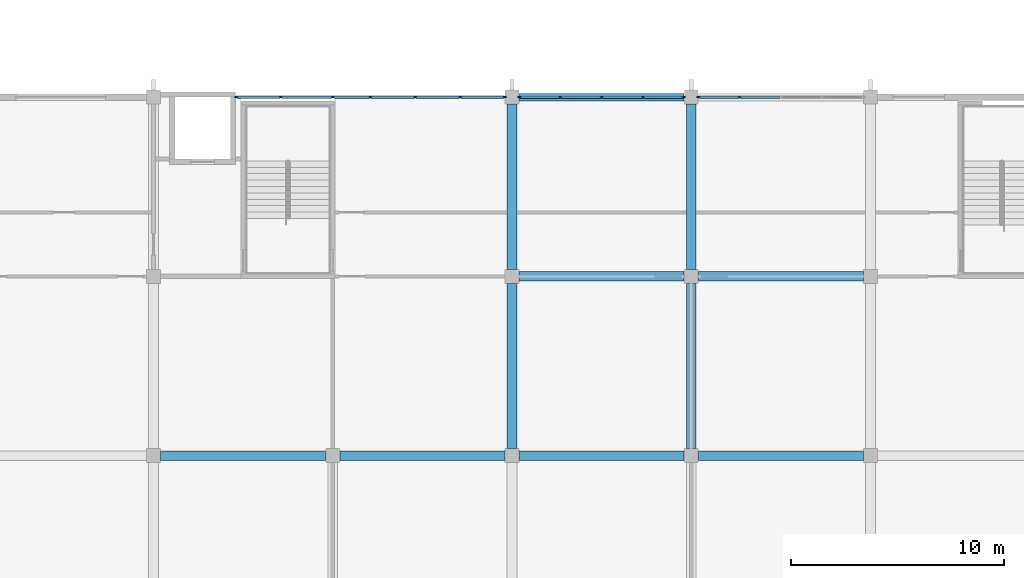
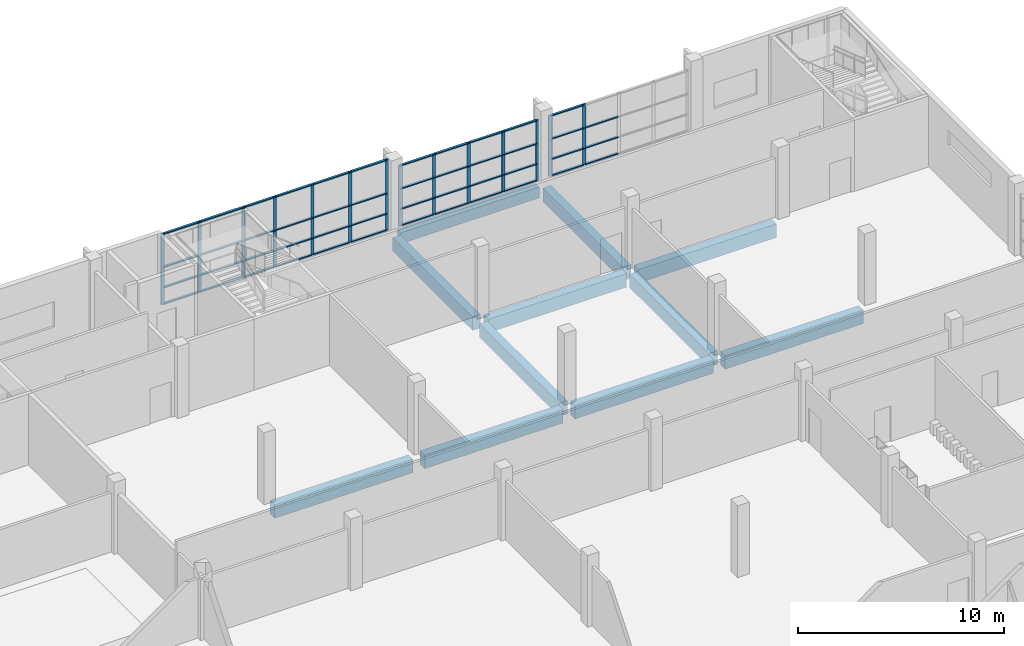
# One storey, part 8 of 64: 61 members, 11 beams, 3 elements without a shape of their own.
"""IFC4 building model written with IfcOpenShell, lengths in metres."""

from ifc_helpers import new_model, si_unit, direction, frame, origin, origin_2d, place, context, subcontext, project, spatial, rectangle, extrude, material, layer, layer_set, material_profile, profile_set, type_object, element, aggregate, save


model = new_model("IFC4")

# Units and contexts
model_context = context("Model", 3, precision=1e-05, world=origin(), true_north=direction((0.0, 1.0)))
body_context = subcontext(model_context, "Body", "Model", "MODEL_VIEW")
ifc_project = project(units=[si_unit("LENGTHUNIT", "METRE"), si_unit("AREAUNIT", "SQUARE_METRE"), si_unit("VOLUMEUNIT", "CUBIC_METRE"), si_unit("PLANEANGLEUNIT", "RADIAN"), si_unit("MASSUNIT", "GRAM", prefix="KILO")], contexts=[model_context])

# Site, building, storey
site_placement = place(None, origin())
site = spatial("IfcSite", under=ifc_project, at=site_placement, CompositionType="ELEMENT")
building_placement = place(site_placement, origin())
building = spatial("IfcBuilding", under=site, at=building_placement, Name="Rulbaag Community and Learning Centre", CompositionType="ELEMENT")
storey_placement = place(building_placement, frame((0.0, 0.0, 5.39990234375)))
storey = spatial("IfcBuildingStorey", under=building, at=storey_placement, Name="L01", CompositionType="ELEMENT", Elevation=5.39990234375)

# Beams
ifc_material_1 = material(Name="Concrete M40", Category="concrete")
ifc_material_profile_1 = material_profile(ifc_material_1, rectangle(XDim=0.449951171875, YDim=0.800048828125, at=origin_2d()), Name="RB450x800")
ifc_profile_set_1 = profile_set([ifc_material_profile_1], Name="Concrete M40")
beam_type_1 = type_object("IfcBeamType", Name="B21 Library floor beam 450x800 Concrete M40", PredefinedType="BEAM", material=ifc_profile_set_1)
for number, where, z_axis, x_axis, name in (
    (1, (126.330078125, 33.60009765625, -0.699951171875), (1.0, 0.0, 0.0), (0.0, 1.0, 0.0), "BM-L01-16E-17E"),
    (2, (134.72998046875, 33.60009765625, -0.699951171875), (1.0, 0.0, 0.0), (0.0, 1.0, 0.0), "BM-L01-17E-18E"),
):
    element("IfcBeam", number, at=place(storey_placement, frame(where, z_axis=z_axis, x_axis=x_axis)), inside=storey, type_object=beam_type_1, Name=name, PredefinedType="BEAM", context=body_context, shape_type="SweptSolid", body=[
        extrude(rectangle(XDim=0.449951171875, YDim=0.800048828125, at=origin_2d()), origin(), (0.0, 0.0, 1.0), 7.739990234375),
    ])
beam_1_placement = place(storey_placement, frame((143.1298828125, 33.60009765625, -0.699951171875), z_axis=(1.0, 0.0, 0.0), x_axis=(0.0, 1.0, 0.0)))
element("IfcBeam", 3, at=beam_1_placement, inside=storey, type_object=beam_type_1, Name="BM-L01-18E-19E", PredefinedType="BEAM", context=body_context, shape_type="SweptSolid", body=[
    extrude(rectangle(XDim=0.449951171875, YDim=0.800048828125, at=origin_2d()), origin(), (0.0, 0.0, 1.0), 7.740234375),
])
beam_2_placement = place(storey_placement, frame((142.800048828125, 33.929931640625, -0.699951171875), z_axis=(0.0, 1.0, 0.0), x_axis=(-1.0, 0.0, 0.0)))
element("IfcBeam", 4, at=beam_2_placement, inside=storey, type_object=beam_type_1, Name="BM-L01-18E-18F", PredefinedType="BEAM", context=body_context, shape_type="SweptSolid", body=[
    extrude(rectangle(XDim=0.449951171875, YDim=0.800048828125, at=origin_2d()), origin(), (0.0, 0.0, 1.0), 7.739990234375),
])
beam_3_placement = place(storey_placement, frame((143.1298828125, 42.0, -0.699951171875), z_axis=(1.0, 0.0, 0.0), x_axis=(0.0, 1.0, 0.0)))
element("IfcBeam", 5, at=beam_3_placement, inside=storey, type_object=beam_type_1, Name="BM-L01-18F-19F", PredefinedType="BEAM", context=body_context, shape_type="SweptSolid", body=[
    extrude(rectangle(XDim=0.449951171875, YDim=0.800048828125, at=origin_2d()), origin(), (0.0, 0.0, 1.0), 7.740234375),
])
for number, where, z_axis, x_axis, name in (
    (6, (142.800048828125, 42.330078125, -0.699951171875), (0.0, 1.0, 0.0), (-1.0, 0.0, 0.0), "BM-L01-18F-18G"),
    (7, (151.530029296875, 33.60009765625, -0.699951171875), (1.0, 0.0, 0.0), (0.0, 1.0, 0.0), "BM-L01-19E-20E"),
    (8, (151.199951171875, 33.929931640625, -0.699951171875), (0.0, 1.0, 0.0), (-1.0, 0.0, 0.0), "BM-L01-19E-19F"),
    (9, (151.530029296875, 42.0, -0.699951171875), (1.0, 0.0, 0.0), (0.0, 1.0, 0.0), "BM-L01-19F-20F"),
    (10, (151.199951171875, 42.330078125, -0.699951171875), (0.0, 1.0, 0.0), (-1.0, 0.0, 0.0), "BM-L01-19F-19G"),
):
    element("IfcBeam", number, at=place(storey_placement, frame(where, z_axis=z_axis, x_axis=x_axis)), inside=storey, type_object=beam_type_1, Name=name, PredefinedType="BEAM", context=body_context, shape_type="SweptSolid", body=[
        extrude(rectangle(XDim=0.449951171875, YDim=0.800048828125, at=origin_2d()), origin(), (0.0, 0.0, 1.0), 7.739990234375),
    ])
ifc_material_profile_2 = material_profile(ifc_material_1, rectangle(XDim=0.35009765625, YDim=0.64990234375, at=origin_2d()), Name="RB350x650")
ifc_profile_set_2 = profile_set([ifc_material_profile_2], Name="Concrete M40")
beam_type_2 = type_object("IfcBeamType", Name="B8 Hall wing edge beam 350x650 Concrete M40", PredefinedType="BEAM", material=ifc_profile_set_2)
beam_4_placement = place(storey_placement, frame((143.1298828125, 50.39990234375, -0.625), z_axis=(1.0, 0.0, 0.0), x_axis=(0.0, 1.0, 0.0)))
element("IfcBeam", 11, at=beam_4_placement, inside=storey, type_object=beam_type_2, Name="BM-L01-18G-19G", PredefinedType="BEAM", context=body_context, shape_type="SweptSolid", body=[
    extrude(rectangle(XDim=0.35009765625, YDim=0.64990234375, at=origin_2d()), origin(), (0.0, 0.0, 1.0), 7.740234375),
])

# Curtain wall, members
ifc_material_2 = material(Name="Aluminium", Category="aluminium")
ifc_layer = layer(ifc_material_2, 0.14990234375)
ifc_layer_set = layer_set([ifc_layer], Name="CW-L")
curtain_wall_type = type_object("IfcCurtainWallType", Name="CW-L", PredefinedType="USERDEFINED", material=ifc_layer_set)
curtain_wall_1_placement = place(storey_placement, origin())
curtain_wall_1 = element("IfcCurtainWall", 12, at=curtain_wall_1_placement, inside=storey, type_object=curtain_wall_type, Name="GL-L01-05", ObjectType="STICK CURTAIN WALL", PredefinedType="USERDEFINED")
ifc_material_3 = material(Name="Aluminium mullion", Category="aluminium")
ifc_material_profile_3 = material_profile(ifc_material_3, rectangle(XDim=0.06494140625, YDim=0.175048828125, at=origin_2d()), Name="AL 65x175")
ifc_profile_set_3 = profile_set([ifc_material_profile_3], Name="Aluminium mullion")
member_type_1 = type_object("IfcMemberType", Name="CW-L-MUL", PredefinedType="MULLION", material=ifc_profile_set_3)
member_1_placement = place(storey_placement, frame((129.882568359375, 50.39990234375, 0.0), z_axis=(0.0, 0.0, 1.0), x_axis=(0.0, 1.0, 0.0)))
member_1 = element("IfcMember", 13, at=member_1_placement, type_object=member_type_1, Name="GL mullion 1", PredefinedType="MULLION", context=body_context, shape_type="SweptSolid", body=[
    extrude(rectangle(XDim=0.06494140625, YDim=0.175048828125, at=origin_2d()), origin(), (0.0, 0.0, 1.0), 4.2001953125),
])
member_2_placement = place(storey_placement, frame((131.9541015625, 50.39990234375, 0.0), z_axis=(0.0, 0.0, 1.0), x_axis=(0.0, 1.0, 0.0)))
member_2 = element("IfcMember", 14, at=member_2_placement, type_object=member_type_1, Name="GL mullion 2", PredefinedType="MULLION", context=body_context, shape_type="SweptSolid", body=[
    extrude(rectangle(XDim=0.06494140625, YDim=0.175048828125, at=origin_2d()), origin(), (0.0, 0.0, 1.0), 4.2001953125),
])
member_3_placement = place(storey_placement, frame((134.39990234375, 50.39990234375, 0.0), z_axis=(0.0, 0.0, 1.0), x_axis=(0.0, 1.0, 0.0)))
member_3 = element("IfcMember", 15, at=member_3_placement, type_object=member_type_1, Name="GL mullion 3", PredefinedType="MULLION", context=body_context, shape_type="SweptSolid", body=[
    extrude(rectangle(XDim=0.06494140625, YDim=0.175048828125, at=origin_2d()), origin(), (0.0, 0.0, 1.0), 4.2001953125),
])
member_4_placement = place(storey_placement, frame((136.16259765625, 50.39990234375, 0.0), z_axis=(0.0, 0.0, 1.0), x_axis=(0.0, 1.0, 0.0)))
member_4 = element("IfcMember", 16, at=member_4_placement, type_object=member_type_1, Name="GL mullion 4", PredefinedType="MULLION", context=body_context, shape_type="SweptSolid", body=[
    extrude(rectangle(XDim=0.06494140625, YDim=0.175048828125, at=origin_2d()), origin(), (0.0, 0.0, 1.0), 4.2001953125),
])
member_5_placement = place(storey_placement, frame((138.2666015625, 50.39990234375, 0.0), z_axis=(0.0, 0.0, 1.0), x_axis=(0.0, 1.0, 0.0)))
member_5 = element("IfcMember", 17, at=member_5_placement, type_object=member_type_1, Name="GL mullion 5", PredefinedType="MULLION", context=body_context, shape_type="SweptSolid", body=[
    extrude(rectangle(XDim=0.06494140625, YDim=0.175048828125, at=origin_2d()), origin(), (0.0, 0.0, 1.0), 4.2001953125),
])
member_6_placement = place(storey_placement, frame((140.370849609375, 50.39990234375, 0.0), z_axis=(0.0, 0.0, 1.0), x_axis=(0.0, 1.0, 0.0)))
member_6 = element("IfcMember", 18, at=member_6_placement, type_object=member_type_1, Name="GL mullion 6", PredefinedType="MULLION", context=body_context, shape_type="SweptSolid", body=[
    extrude(rectangle(XDim=0.06494140625, YDim=0.175048828125, at=origin_2d()), origin(), (0.0, 0.0, 1.0), 4.2001953125),
])
member_7_placement = place(storey_placement, frame((142.4423828125, 50.39990234375, 0.0), z_axis=(0.0, 0.0, 1.0), x_axis=(0.0, 1.0, 0.0)))
member_7 = element("IfcMember", 19, at=member_7_placement, type_object=member_type_1, Name="GL mullion 7", PredefinedType="MULLION", context=body_context, shape_type="SweptSolid", body=[
    extrude(rectangle(XDim=0.06494140625, YDim=0.175048828125, at=origin_2d()), origin(), (0.0, 0.0, 1.0), 4.2001953125),
])

curtain_wall_2_placement = place(storey_placement, origin())
curtain_wall_2 = element("IfcCurtainWall", 20, at=curtain_wall_2_placement, inside=storey, type_object=curtain_wall_type, Name="GL-L01-06", ObjectType="STICK CURTAIN WALL", PredefinedType="USERDEFINED")
member_8_placement = place(storey_placement, frame((143.157470703125, 50.39990234375, 0.0), z_axis=(0.0, 0.0, 1.0), x_axis=(0.0, 1.0, 0.0)))
member_8 = element("IfcMember", 21, at=member_8_placement, type_object=member_type_1, Name="GL mullion 1", PredefinedType="MULLION", context=body_context, shape_type="SweptSolid", body=[
    extrude(rectangle(XDim=0.06494140625, YDim=0.175048828125, at=origin_2d()), origin(), (0.0, 0.0, 1.0), 3.60009765625),
])
member_9_placement = place(storey_placement, frame((145.0625, 50.39990234375, 0.0), z_axis=(0.0, 0.0, 1.0), x_axis=(0.0, 1.0, 0.0)))
member_9 = element("IfcMember", 22, at=member_9_placement, type_object=member_type_1, Name="GL mullion 2", PredefinedType="MULLION", context=body_context, shape_type="SweptSolid", body=[
    extrude(rectangle(XDim=0.06494140625, YDim=0.175048828125, at=origin_2d()), origin(), (0.0, 0.0, 1.0), 3.60009765625),
])
member_10_placement = place(storey_placement, frame((147.0, 50.39990234375, 0.0), z_axis=(0.0, 0.0, 1.0), x_axis=(0.0, 1.0, 0.0)))
member_10 = element("IfcMember", 23, at=member_10_placement, type_object=member_type_1, Name="GL mullion 3", PredefinedType="MULLION", context=body_context, shape_type="SweptSolid", body=[
    extrude(rectangle(XDim=0.06494140625, YDim=0.175048828125, at=origin_2d()), origin(), (0.0, 0.0, 1.0), 3.60009765625),
])
member_11_placement = place(storey_placement, frame((148.9375, 50.39990234375, 0.0), z_axis=(0.0, 0.0, 1.0), x_axis=(0.0, 1.0, 0.0)))
member_11 = element("IfcMember", 24, at=member_11_placement, type_object=member_type_1, Name="GL mullion 4", PredefinedType="MULLION", context=body_context, shape_type="SweptSolid", body=[
    extrude(rectangle(XDim=0.06494140625, YDim=0.175048828125, at=origin_2d()), origin(), (0.0, 0.0, 1.0), 3.60009765625),
])
member_12_placement = place(storey_placement, frame((150.842529296875, 50.39990234375, 0.0), z_axis=(0.0, 0.0, 1.0), x_axis=(0.0, 1.0, 0.0)))
member_12 = element("IfcMember", 25, at=member_12_placement, type_object=member_type_1, Name="GL mullion 5", PredefinedType="MULLION", context=body_context, shape_type="SweptSolid", body=[
    extrude(rectangle(XDim=0.06494140625, YDim=0.175048828125, at=origin_2d()), origin(), (0.0, 0.0, 1.0), 3.60009765625),
])

curtain_wall_3_placement = place(storey_placement, origin())
curtain_wall_3 = element("IfcCurtainWall", 26, at=curtain_wall_3_placement, inside=storey, type_object=curtain_wall_type, Name="GL-L01-07", ObjectType="STICK CURTAIN WALL", PredefinedType="USERDEFINED")
member_13_placement = place(storey_placement, frame((151.5576171875, 50.39990234375, 0.0), z_axis=(0.0, 0.0, 1.0), x_axis=(0.0, 1.0, 0.0)))
member_13 = element("IfcMember", 27, at=member_13_placement, type_object=member_type_1, Name="GL mullion 1", PredefinedType="MULLION", context=body_context, shape_type="SweptSolid", body=[
    extrude(rectangle(XDim=0.06494140625, YDim=0.175048828125, at=origin_2d()), origin(), (0.0, 0.0, 1.0), 3.60009765625),
])
member_14_placement = place(storey_placement, frame((153.46240234375, 50.39990234375, 0.0), z_axis=(0.0, 0.0, 1.0), x_axis=(0.0, 1.0, 0.0)))
member_14 = element("IfcMember", 28, at=member_14_placement, type_object=member_type_1, Name="GL mullion 2", PredefinedType="MULLION", context=body_context, shape_type="SweptSolid", body=[
    extrude(rectangle(XDim=0.06494140625, YDim=0.175048828125, at=origin_2d()), origin(), (0.0, 0.0, 1.0), 3.60009765625),
])

# Member
ifc_material_4 = material(Name="Aluminium transom", Category="aluminium")
ifc_material_profile_4 = material_profile(ifc_material_4, rectangle(XDim=0.125, YDim=0.06494140625, at=origin_2d()), Name="AL 65x125 T")
ifc_profile_set_4 = profile_set([ifc_material_profile_4], Name="Aluminium transom")
member_type_2 = type_object("IfcMemberType", Name="CW-L-TRN", PredefinedType="USERDEFINED", material=ifc_profile_set_4)
member_15_placement = place(storey_placement, frame((129.9150390625, 50.39990234375, 0.03271484375), z_axis=(1.0, 0.0, 0.0), x_axis=(0.0, 1.0, 0.0)))
member_15 = element("IfcMember", 29, at=member_15_placement, type_object=member_type_2, Name="GL transom 1.1", ObjectType="TRANSOM", PredefinedType="USERDEFINED", context=body_context, shape_type="SweptSolid", body=[
    extrude(rectangle(XDim=0.125, YDim=0.06494140625, at=origin_2d()), origin(), (0.0, 0.0, 1.0), 2.006591796875),
])

member_16_placement = place(storey_placement, frame((129.9150390625, 50.39990234375, 1.0), z_axis=(1.0, 0.0, 0.0), x_axis=(0.0, 1.0, 0.0)))
member_16 = element("IfcMember", 30, at=member_16_placement, type_object=member_type_2, Name="GL transom 1.2", ObjectType="TRANSOM", PredefinedType="USERDEFINED", context=body_context, shape_type="SweptSolid", body=[
    extrude(rectangle(XDim=0.125, YDim=0.06494140625, at=origin_2d()), origin(), (0.0, 0.0, 1.0), 2.006591796875),
])

member_17_placement = place(storey_placement, frame((129.9150390625, 50.39990234375, 2.2001953125), z_axis=(1.0, 0.0, 0.0), x_axis=(0.0, 1.0, 0.0)))
member_17 = element("IfcMember", 31, at=member_17_placement, type_object=member_type_2, Name="GL transom 1.3", ObjectType="TRANSOM", PredefinedType="USERDEFINED", context=body_context, shape_type="SweptSolid", body=[
    extrude(rectangle(XDim=0.125, YDim=0.06494140625, at=origin_2d()), origin(), (0.0, 0.0, 1.0), 2.006591796875),
])

member_18_placement = place(storey_placement, frame((129.9150390625, 50.39990234375, 4.16748046875), z_axis=(1.0, 0.0, 0.0), x_axis=(0.0, 1.0, 0.0)))
member_18 = element("IfcMember", 32, at=member_18_placement, type_object=member_type_2, Name="GL transom 1.4", ObjectType="TRANSOM", PredefinedType="USERDEFINED", context=body_context, shape_type="SweptSolid", body=[
    extrude(rectangle(XDim=0.125, YDim=0.06494140625, at=origin_2d()), origin(), (0.0, 0.0, 1.0), 2.006591796875),
])

member_19_placement = place(storey_placement, frame((131.986572265625, 50.39990234375, 0.03271484375), z_axis=(1.0, 0.0, 0.0), x_axis=(0.0, 1.0, 0.0)))
member_19 = element("IfcMember", 33, at=member_19_placement, type_object=member_type_2, Name="GL transom 2.1", ObjectType="TRANSOM", PredefinedType="USERDEFINED", context=body_context, shape_type="SweptSolid", body=[
    extrude(rectangle(XDim=0.125, YDim=0.06494140625, at=origin_2d()), origin(), (0.0, 0.0, 1.0), 2.380859375),
])

member_20_placement = place(storey_placement, frame((131.986572265625, 50.39990234375, 1.0), z_axis=(1.0, 0.0, 0.0), x_axis=(0.0, 1.0, 0.0)))
member_20 = element("IfcMember", 34, at=member_20_placement, type_object=member_type_2, Name="GL transom 2.2", ObjectType="TRANSOM", PredefinedType="USERDEFINED", context=body_context, shape_type="SweptSolid", body=[
    extrude(rectangle(XDim=0.125, YDim=0.06494140625, at=origin_2d()), origin(), (0.0, 0.0, 1.0), 2.380859375),
])

member_21_placement = place(storey_placement, frame((131.986572265625, 50.39990234375, 2.2001953125), z_axis=(1.0, 0.0, 0.0), x_axis=(0.0, 1.0, 0.0)))
member_21 = element("IfcMember", 35, at=member_21_placement, type_object=member_type_2, Name="GL transom 2.3", ObjectType="TRANSOM", PredefinedType="USERDEFINED", context=body_context, shape_type="SweptSolid", body=[
    extrude(rectangle(XDim=0.125, YDim=0.06494140625, at=origin_2d()), origin(), (0.0, 0.0, 1.0), 2.380859375),
])

member_22_placement = place(storey_placement, frame((131.986572265625, 50.39990234375, 4.16748046875), z_axis=(1.0, 0.0, 0.0), x_axis=(0.0, 1.0, 0.0)))
member_22 = element("IfcMember", 36, at=member_22_placement, type_object=member_type_2, Name="GL transom 2.4", ObjectType="TRANSOM", PredefinedType="USERDEFINED", context=body_context, shape_type="SweptSolid", body=[
    extrude(rectangle(XDim=0.125, YDim=0.06494140625, at=origin_2d()), origin(), (0.0, 0.0, 1.0), 2.380859375),
])

member_23_placement = place(storey_placement, frame((134.4326171875, 50.39990234375, 0.03271484375), z_axis=(1.0, 0.0, 0.0), x_axis=(0.0, 1.0, 0.0)))
member_23 = element("IfcMember", 37, at=member_23_placement, type_object=member_type_2, Name="GL transom 3.1", ObjectType="TRANSOM", PredefinedType="USERDEFINED", context=body_context, shape_type="SweptSolid", body=[
    extrude(rectangle(XDim=0.125, YDim=0.06494140625, at=origin_2d()), origin(), (0.0, 0.0, 1.0), 1.697265625),
])

member_24_placement = place(storey_placement, frame((134.4326171875, 50.39990234375, 1.0), z_axis=(1.0, 0.0, 0.0), x_axis=(0.0, 1.0, 0.0)))
member_24 = element("IfcMember", 38, at=member_24_placement, type_object=member_type_2, Name="GL transom 3.2", ObjectType="TRANSOM", PredefinedType="USERDEFINED", context=body_context, shape_type="SweptSolid", body=[
    extrude(rectangle(XDim=0.125, YDim=0.06494140625, at=origin_2d()), origin(), (0.0, 0.0, 1.0), 1.697265625),
])

member_25_placement = place(storey_placement, frame((134.4326171875, 50.39990234375, 2.2001953125), z_axis=(1.0, 0.0, 0.0), x_axis=(0.0, 1.0, 0.0)))
member_25 = element("IfcMember", 39, at=member_25_placement, type_object=member_type_2, Name="GL transom 3.3", ObjectType="TRANSOM", PredefinedType="USERDEFINED", context=body_context, shape_type="SweptSolid", body=[
    extrude(rectangle(XDim=0.125, YDim=0.06494140625, at=origin_2d()), origin(), (0.0, 0.0, 1.0), 1.697265625),
])

member_26_placement = place(storey_placement, frame((134.4326171875, 50.39990234375, 4.16748046875), z_axis=(1.0, 0.0, 0.0), x_axis=(0.0, 1.0, 0.0)))
member_26 = element("IfcMember", 40, at=member_26_placement, type_object=member_type_2, Name="GL transom 3.4", ObjectType="TRANSOM", PredefinedType="USERDEFINED", context=body_context, shape_type="SweptSolid", body=[
    extrude(rectangle(XDim=0.125, YDim=0.06494140625, at=origin_2d()), origin(), (0.0, 0.0, 1.0), 1.697265625),
])

member_27_placement = place(storey_placement, frame((136.195068359375, 50.39990234375, 0.03271484375), z_axis=(1.0, 0.0, 0.0), x_axis=(0.0, 1.0, 0.0)))
member_27 = element("IfcMember", 41, at=member_27_placement, type_object=member_type_2, Name="GL transom 4.1", ObjectType="TRANSOM", PredefinedType="USERDEFINED", context=body_context, shape_type="SweptSolid", body=[
    extrude(rectangle(XDim=0.125, YDim=0.06494140625, at=origin_2d()), origin(), (0.0, 0.0, 1.0), 2.0390625),
])

member_28_placement = place(storey_placement, frame((136.195068359375, 50.39990234375, 1.0), z_axis=(1.0, 0.0, 0.0), x_axis=(0.0, 1.0, 0.0)))
member_28 = element("IfcMember", 42, at=member_28_placement, type_object=member_type_2, Name="GL transom 4.2", ObjectType="TRANSOM", PredefinedType="USERDEFINED", context=body_context, shape_type="SweptSolid", body=[
    extrude(rectangle(XDim=0.125, YDim=0.06494140625, at=origin_2d()), origin(), (0.0, 0.0, 1.0), 2.0390625),
])

member_29_placement = place(storey_placement, frame((136.195068359375, 50.39990234375, 2.2001953125), z_axis=(1.0, 0.0, 0.0), x_axis=(0.0, 1.0, 0.0)))
member_29 = element("IfcMember", 43, at=member_29_placement, type_object=member_type_2, Name="GL transom 4.3", ObjectType="TRANSOM", PredefinedType="USERDEFINED", context=body_context, shape_type="SweptSolid", body=[
    extrude(rectangle(XDim=0.125, YDim=0.06494140625, at=origin_2d()), origin(), (0.0, 0.0, 1.0), 2.0390625),
])

member_30_placement = place(storey_placement, frame((136.195068359375, 50.39990234375, 4.16748046875), z_axis=(1.0, 0.0, 0.0), x_axis=(0.0, 1.0, 0.0)))
member_30 = element("IfcMember", 44, at=member_30_placement, type_object=member_type_2, Name="GL transom 4.4", ObjectType="TRANSOM", PredefinedType="USERDEFINED", context=body_context, shape_type="SweptSolid", body=[
    extrude(rectangle(XDim=0.125, YDim=0.06494140625, at=origin_2d()), origin(), (0.0, 0.0, 1.0), 2.0390625),
])

member_31_placement = place(storey_placement, frame((138.299072265625, 50.39990234375, 0.03271484375), z_axis=(1.0, 0.0, 0.0), x_axis=(0.0, 1.0, 0.0)))
member_31 = element("IfcMember", 45, at=member_31_placement, type_object=member_type_2, Name="GL transom 5.1", ObjectType="TRANSOM", PredefinedType="USERDEFINED", context=body_context, shape_type="SweptSolid", body=[
    extrude(rectangle(XDim=0.125, YDim=0.06494140625, at=origin_2d()), origin(), (0.0, 0.0, 1.0), 2.039306640625),
])

member_32_placement = place(storey_placement, frame((138.299072265625, 50.39990234375, 1.0), z_axis=(1.0, 0.0, 0.0), x_axis=(0.0, 1.0, 0.0)))
member_32 = element("IfcMember", 46, at=member_32_placement, type_object=member_type_2, Name="GL transom 5.2", ObjectType="TRANSOM", PredefinedType="USERDEFINED", context=body_context, shape_type="SweptSolid", body=[
    extrude(rectangle(XDim=0.125, YDim=0.06494140625, at=origin_2d()), origin(), (0.0, 0.0, 1.0), 2.039306640625),
])

member_33_placement = place(storey_placement, frame((138.299072265625, 50.39990234375, 2.2001953125), z_axis=(1.0, 0.0, 0.0), x_axis=(0.0, 1.0, 0.0)))
member_33 = element("IfcMember", 47, at=member_33_placement, type_object=member_type_2, Name="GL transom 5.3", ObjectType="TRANSOM", PredefinedType="USERDEFINED", context=body_context, shape_type="SweptSolid", body=[
    extrude(rectangle(XDim=0.125, YDim=0.06494140625, at=origin_2d()), origin(), (0.0, 0.0, 1.0), 2.039306640625),
])

member_34_placement = place(storey_placement, frame((138.299072265625, 50.39990234375, 4.16748046875), z_axis=(1.0, 0.0, 0.0), x_axis=(0.0, 1.0, 0.0)))
member_34 = element("IfcMember", 48, at=member_34_placement, type_object=member_type_2, Name="GL transom 5.4", ObjectType="TRANSOM", PredefinedType="USERDEFINED", context=body_context, shape_type="SweptSolid", body=[
    extrude(rectangle(XDim=0.125, YDim=0.06494140625, at=origin_2d()), origin(), (0.0, 0.0, 1.0), 2.039306640625),
])

member_35_placement = place(storey_placement, frame((140.4033203125, 50.39990234375, 0.03271484375), z_axis=(1.0, 0.0, 0.0), x_axis=(0.0, 1.0, 0.0)))
member_35 = element("IfcMember", 49, at=member_35_placement, type_object=member_type_2, Name="GL transom 6.1", ObjectType="TRANSOM", PredefinedType="USERDEFINED", context=body_context, shape_type="SweptSolid", body=[
    extrude(rectangle(XDim=0.125, YDim=0.06494140625, at=origin_2d()), origin(), (0.0, 0.0, 1.0), 2.006591796875),
])

member_36_placement = place(storey_placement, frame((140.4033203125, 50.39990234375, 1.0), z_axis=(1.0, 0.0, 0.0), x_axis=(0.0, 1.0, 0.0)))
member_36 = element("IfcMember", 50, at=member_36_placement, type_object=member_type_2, Name="GL transom 6.2", ObjectType="TRANSOM", PredefinedType="USERDEFINED", context=body_context, shape_type="SweptSolid", body=[
    extrude(rectangle(XDim=0.125, YDim=0.06494140625, at=origin_2d()), origin(), (0.0, 0.0, 1.0), 2.006591796875),
])

member_37_placement = place(storey_placement, frame((140.4033203125, 50.39990234375, 2.2001953125), z_axis=(1.0, 0.0, 0.0), x_axis=(0.0, 1.0, 0.0)))
member_37 = element("IfcMember", 51, at=member_37_placement, type_object=member_type_2, Name="GL transom 6.3", ObjectType="TRANSOM", PredefinedType="USERDEFINED", context=body_context, shape_type="SweptSolid", body=[
    extrude(rectangle(XDim=0.125, YDim=0.06494140625, at=origin_2d()), origin(), (0.0, 0.0, 1.0), 2.006591796875),
])

member_38_placement = place(storey_placement, frame((140.4033203125, 50.39990234375, 4.16748046875), z_axis=(1.0, 0.0, 0.0), x_axis=(0.0, 1.0, 0.0)))
member_38 = element("IfcMember", 52, at=member_38_placement, type_object=member_type_2, Name="GL transom 6.4", ObjectType="TRANSOM", PredefinedType="USERDEFINED", context=body_context, shape_type="SweptSolid", body=[
    extrude(rectangle(XDim=0.125, YDim=0.06494140625, at=origin_2d()), origin(), (0.0, 0.0, 1.0), 2.006591796875),
])

aggregate(curtain_wall_1, [member_1, member_2, member_3, member_4, member_5, member_6, member_7, member_15, member_16, member_17, member_18, member_19, member_20, member_21, member_22, member_23, member_24, member_25, member_26, member_27, member_28, member_29, member_30, member_31, member_32, member_33, member_34, member_35, member_36, member_37, member_38])

member_39_placement = place(storey_placement, frame((143.18994140625, 50.39990234375, 0.03271484375), z_axis=(1.0, 0.0, 0.0), x_axis=(0.0, 1.0, 0.0)))
member_39 = element("IfcMember", 53, at=member_39_placement, type_object=member_type_2, Name="GL transom 1.1", ObjectType="TRANSOM", PredefinedType="USERDEFINED", context=body_context, shape_type="SweptSolid", body=[
    extrude(rectangle(XDim=0.125, YDim=0.06494140625, at=origin_2d()), origin(), (0.0, 0.0, 1.0), 1.840087890625),
])

member_40_placement = place(storey_placement, frame((143.18994140625, 50.39990234375, 1.0), z_axis=(1.0, 0.0, 0.0), x_axis=(0.0, 1.0, 0.0)))
member_40 = element("IfcMember", 54, at=member_40_placement, type_object=member_type_2, Name="GL transom 1.2", ObjectType="TRANSOM", PredefinedType="USERDEFINED", context=body_context, shape_type="SweptSolid", body=[
    extrude(rectangle(XDim=0.125, YDim=0.06494140625, at=origin_2d()), origin(), (0.0, 0.0, 1.0), 1.840087890625),
])

member_41_placement = place(storey_placement, frame((143.18994140625, 50.39990234375, 2.2001953125), z_axis=(1.0, 0.0, 0.0), x_axis=(0.0, 1.0, 0.0)))
member_41 = element("IfcMember", 55, at=member_41_placement, type_object=member_type_2, Name="GL transom 1.3", ObjectType="TRANSOM", PredefinedType="USERDEFINED", context=body_context, shape_type="SweptSolid", body=[
    extrude(rectangle(XDim=0.125, YDim=0.06494140625, at=origin_2d()), origin(), (0.0, 0.0, 1.0), 1.840087890625),
])

member_42_placement = place(storey_placement, frame((143.18994140625, 50.39990234375, 3.567626953125), z_axis=(1.0, 0.0, 0.0), x_axis=(0.0, 1.0, 0.0)))
member_42 = element("IfcMember", 56, at=member_42_placement, type_object=member_type_2, Name="GL transom 1.4", ObjectType="TRANSOM", PredefinedType="USERDEFINED", context=body_context, shape_type="SweptSolid", body=[
    extrude(rectangle(XDim=0.125, YDim=0.06494140625, at=origin_2d()), origin(), (0.0, 0.0, 1.0), 1.840087890625),
])

member_43_placement = place(storey_placement, frame((145.094970703125, 50.39990234375, 0.03271484375), z_axis=(1.0, 0.0, 0.0), x_axis=(0.0, 1.0, 0.0)))
member_43 = element("IfcMember", 57, at=member_43_placement, type_object=member_type_2, Name="GL transom 2.1", ObjectType="TRANSOM", PredefinedType="USERDEFINED", context=body_context, shape_type="SweptSolid", body=[
    extrude(rectangle(XDim=0.125, YDim=0.06494140625, at=origin_2d()), origin(), (0.0, 0.0, 1.0), 1.87255859375),
])

member_44_placement = place(storey_placement, frame((145.094970703125, 50.39990234375, 1.0), z_axis=(1.0, 0.0, 0.0), x_axis=(0.0, 1.0, 0.0)))
member_44 = element("IfcMember", 58, at=member_44_placement, type_object=member_type_2, Name="GL transom 2.2", ObjectType="TRANSOM", PredefinedType="USERDEFINED", context=body_context, shape_type="SweptSolid", body=[
    extrude(rectangle(XDim=0.125, YDim=0.06494140625, at=origin_2d()), origin(), (0.0, 0.0, 1.0), 1.87255859375),
])

member_45_placement = place(storey_placement, frame((145.094970703125, 50.39990234375, 2.2001953125), z_axis=(1.0, 0.0, 0.0), x_axis=(0.0, 1.0, 0.0)))
member_45 = element("IfcMember", 59, at=member_45_placement, type_object=member_type_2, Name="GL transom 2.3", ObjectType="TRANSOM", PredefinedType="USERDEFINED", context=body_context, shape_type="SweptSolid", body=[
    extrude(rectangle(XDim=0.125, YDim=0.06494140625, at=origin_2d()), origin(), (0.0, 0.0, 1.0), 1.87255859375),
])

member_46_placement = place(storey_placement, frame((145.094970703125, 50.39990234375, 3.567626953125), z_axis=(1.0, 0.0, 0.0), x_axis=(0.0, 1.0, 0.0)))
member_46 = element("IfcMember", 60, at=member_46_placement, type_object=member_type_2, Name="GL transom 2.4", ObjectType="TRANSOM", PredefinedType="USERDEFINED", context=body_context, shape_type="SweptSolid", body=[
    extrude(rectangle(XDim=0.125, YDim=0.06494140625, at=origin_2d()), origin(), (0.0, 0.0, 1.0), 1.87255859375),
])

member_47_placement = place(storey_placement, frame((147.032470703125, 50.39990234375, 0.03271484375), z_axis=(1.0, 0.0, 0.0), x_axis=(0.0, 1.0, 0.0)))
member_47 = element("IfcMember", 61, at=member_47_placement, type_object=member_type_2, Name="GL transom 3.1", ObjectType="TRANSOM", PredefinedType="USERDEFINED", context=body_context, shape_type="SweptSolid", body=[
    extrude(rectangle(XDim=0.125, YDim=0.06494140625, at=origin_2d()), origin(), (0.0, 0.0, 1.0), 1.87255859375),
])

member_48_placement = place(storey_placement, frame((147.032470703125, 50.39990234375, 1.0), z_axis=(1.0, 0.0, 0.0), x_axis=(0.0, 1.0, 0.0)))
member_48 = element("IfcMember", 62, at=member_48_placement, type_object=member_type_2, Name="GL transom 3.2", ObjectType="TRANSOM", PredefinedType="USERDEFINED", context=body_context, shape_type="SweptSolid", body=[
    extrude(rectangle(XDim=0.125, YDim=0.06494140625, at=origin_2d()), origin(), (0.0, 0.0, 1.0), 1.87255859375),
])

member_49_placement = place(storey_placement, frame((147.032470703125, 50.39990234375, 2.2001953125), z_axis=(1.0, 0.0, 0.0), x_axis=(0.0, 1.0, 0.0)))
member_49 = element("IfcMember", 63, at=member_49_placement, type_object=member_type_2, Name="GL transom 3.3", ObjectType="TRANSOM", PredefinedType="USERDEFINED", context=body_context, shape_type="SweptSolid", body=[
    extrude(rectangle(XDim=0.125, YDim=0.06494140625, at=origin_2d()), origin(), (0.0, 0.0, 1.0), 1.87255859375),
])

member_50_placement = place(storey_placement, frame((147.032470703125, 50.39990234375, 3.567626953125), z_axis=(1.0, 0.0, 0.0), x_axis=(0.0, 1.0, 0.0)))
member_50 = element("IfcMember", 64, at=member_50_placement, type_object=member_type_2, Name="GL transom 3.4", ObjectType="TRANSOM", PredefinedType="USERDEFINED", context=body_context, shape_type="SweptSolid", body=[
    extrude(rectangle(XDim=0.125, YDim=0.06494140625, at=origin_2d()), origin(), (0.0, 0.0, 1.0), 1.87255859375),
])

member_51_placement = place(storey_placement, frame((148.969970703125, 50.39990234375, 0.03271484375), z_axis=(1.0, 0.0, 0.0), x_axis=(0.0, 1.0, 0.0)))
member_51 = element("IfcMember", 65, at=member_51_placement, type_object=member_type_2, Name="GL transom 4.1", ObjectType="TRANSOM", PredefinedType="USERDEFINED", context=body_context, shape_type="SweptSolid", body=[
    extrude(rectangle(XDim=0.125, YDim=0.06494140625, at=origin_2d()), origin(), (0.0, 0.0, 1.0), 1.840087890625),
])

member_52_placement = place(storey_placement, frame((148.969970703125, 50.39990234375, 1.0), z_axis=(1.0, 0.0, 0.0), x_axis=(0.0, 1.0, 0.0)))
member_52 = element("IfcMember", 66, at=member_52_placement, type_object=member_type_2, Name="GL transom 4.2", ObjectType="TRANSOM", PredefinedType="USERDEFINED", context=body_context, shape_type="SweptSolid", body=[
    extrude(rectangle(XDim=0.125, YDim=0.06494140625, at=origin_2d()), origin(), (0.0, 0.0, 1.0), 1.840087890625),
])

member_53_placement = place(storey_placement, frame((148.969970703125, 50.39990234375, 2.2001953125), z_axis=(1.0, 0.0, 0.0), x_axis=(0.0, 1.0, 0.0)))
member_53 = element("IfcMember", 67, at=member_53_placement, type_object=member_type_2, Name="GL transom 4.3", ObjectType="TRANSOM", PredefinedType="USERDEFINED", context=body_context, shape_type="SweptSolid", body=[
    extrude(rectangle(XDim=0.125, YDim=0.06494140625, at=origin_2d()), origin(), (0.0, 0.0, 1.0), 1.840087890625),
])

member_54_placement = place(storey_placement, frame((148.969970703125, 50.39990234375, 3.567626953125), z_axis=(1.0, 0.0, 0.0), x_axis=(0.0, 1.0, 0.0)))
member_54 = element("IfcMember", 68, at=member_54_placement, type_object=member_type_2, Name="GL transom 4.4", ObjectType="TRANSOM", PredefinedType="USERDEFINED", context=body_context, shape_type="SweptSolid", body=[
    extrude(rectangle(XDim=0.125, YDim=0.06494140625, at=origin_2d()), origin(), (0.0, 0.0, 1.0), 1.840087890625),
])

aggregate(curtain_wall_2, [member_8, member_9, member_10, member_11, member_12, member_39, member_40, member_41, member_42, member_43, member_44, member_45, member_46, member_47, member_48, member_49, member_50, member_51, member_52, member_53, member_54])

member_55_placement = place(storey_placement, frame((151.590087890625, 50.39990234375, 0.03271484375), z_axis=(1.0, 0.0, 0.0), x_axis=(0.0, 1.0, 0.0)))
member_55 = element("IfcMember", 69, at=member_55_placement, type_object=member_type_2, Name="GL transom 1.1", ObjectType="TRANSOM", PredefinedType="USERDEFINED", context=body_context, shape_type="SweptSolid", body=[
    extrude(rectangle(XDim=0.125, YDim=0.06494140625, at=origin_2d()), origin(), (0.0, 0.0, 1.0), 1.83984375),
])

member_56_placement = place(storey_placement, frame((151.590087890625, 50.39990234375, 1.0), z_axis=(1.0, 0.0, 0.0), x_axis=(0.0, 1.0, 0.0)))
member_56 = element("IfcMember", 70, at=member_56_placement, type_object=member_type_2, Name="GL transom 1.2", ObjectType="TRANSOM", PredefinedType="USERDEFINED", context=body_context, shape_type="SweptSolid", body=[
    extrude(rectangle(XDim=0.125, YDim=0.06494140625, at=origin_2d()), origin(), (0.0, 0.0, 1.0), 1.83984375),
])

member_57_placement = place(storey_placement, frame((151.590087890625, 50.39990234375, 2.2001953125), z_axis=(1.0, 0.0, 0.0), x_axis=(0.0, 1.0, 0.0)))
member_57 = element("IfcMember", 71, at=member_57_placement, type_object=member_type_2, Name="GL transom 1.3", ObjectType="TRANSOM", PredefinedType="USERDEFINED", context=body_context, shape_type="SweptSolid", body=[
    extrude(rectangle(XDim=0.125, YDim=0.06494140625, at=origin_2d()), origin(), (0.0, 0.0, 1.0), 1.83984375),
])

member_58_placement = place(storey_placement, frame((151.590087890625, 50.39990234375, 3.567626953125), z_axis=(1.0, 0.0, 0.0), x_axis=(0.0, 1.0, 0.0)))
member_58 = element("IfcMember", 72, at=member_58_placement, type_object=member_type_2, Name="GL transom 1.4", ObjectType="TRANSOM", PredefinedType="USERDEFINED", context=body_context, shape_type="SweptSolid", body=[
    extrude(rectangle(XDim=0.125, YDim=0.06494140625, at=origin_2d()), origin(), (0.0, 0.0, 1.0), 1.83984375),
])

member_59_placement = place(storey_placement, frame((153.4951171875, 50.39990234375, 0.03271484375), z_axis=(1.0, 0.0, 0.0), x_axis=(0.0, 1.0, 0.0)))
member_59 = element("IfcMember", 73, at=member_59_placement, type_object=member_type_2, Name="GL transom 2.1", ObjectType="TRANSOM", PredefinedType="USERDEFINED", context=body_context, shape_type="SweptSolid", body=[
    extrude(rectangle(XDim=0.125, YDim=0.06494140625, at=origin_2d()), origin(), (0.0, 0.0, 1.0), 1.872314453125),
])

member_60_placement = place(storey_placement, frame((153.4951171875, 50.39990234375, 1.0), z_axis=(1.0, 0.0, 0.0), x_axis=(0.0, 1.0, 0.0)))
member_60 = element("IfcMember", 74, at=member_60_placement, type_object=member_type_2, Name="GL transom 2.2", ObjectType="TRANSOM", PredefinedType="USERDEFINED", context=body_context, shape_type="SweptSolid", body=[
    extrude(rectangle(XDim=0.125, YDim=0.06494140625, at=origin_2d()), origin(), (0.0, 0.0, 1.0), 1.872314453125),
])

member_61_placement = place(storey_placement, frame((153.4951171875, 50.39990234375, 2.2001953125), z_axis=(1.0, 0.0, 0.0), x_axis=(0.0, 1.0, 0.0)))
member_61 = element("IfcMember", 75, at=member_61_placement, type_object=member_type_2, Name="GL transom 2.3", ObjectType="TRANSOM", PredefinedType="USERDEFINED", context=body_context, shape_type="SweptSolid", body=[
    extrude(rectangle(XDim=0.125, YDim=0.06494140625, at=origin_2d()), origin(), (0.0, 0.0, 1.0), 1.872314453125),
])

aggregate(curtain_wall_3, [member_13, member_14, member_55, member_56, member_57, member_58, member_59, member_60, member_61])

save(model, "model.ifc")
